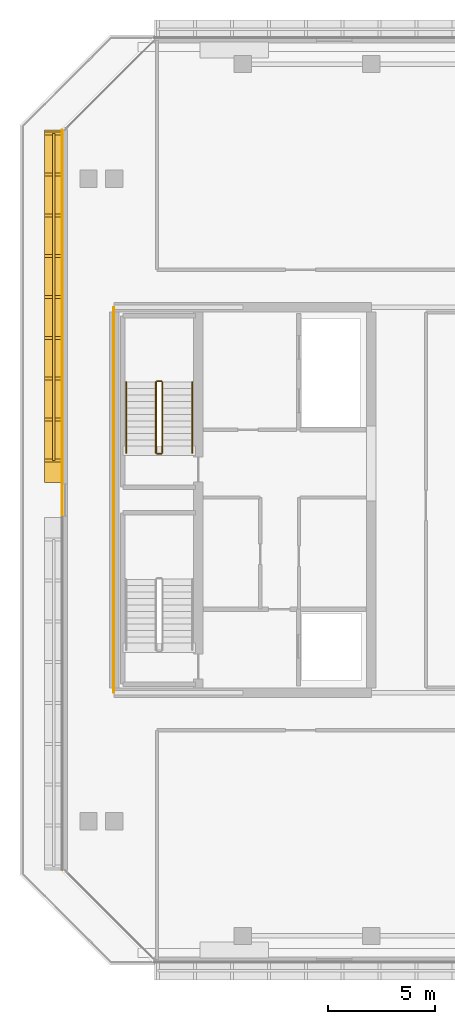
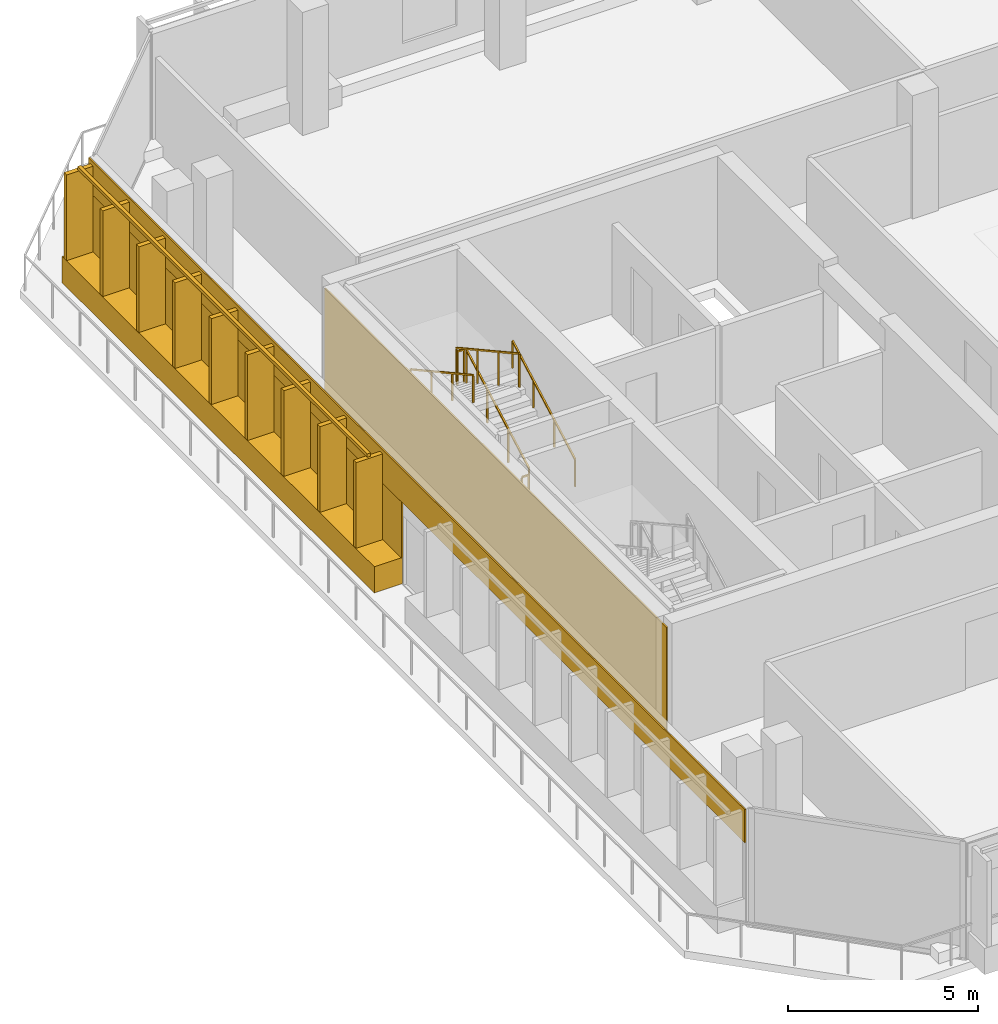
# One storey, part 24 of 26: 7 railings, 4 coverings.
"""IFC4 building model written with IfcOpenShell, lengths in metres."""

import ifcopenshell
import ifcopenshell.guid

model = None  # the IFC model being written
_history = None  # IfcOwnerHistory: only IFC2X3 demands one
_inside = {}  # id of a spatial element -> (the spatial element, [elements in it])
_under = {}  # id of a project, library or spatial element -> (it, [spatial elements below it])
_declared = {}  # id of a project -> (the project, [libraries it declares])
_typed = {}  # id of a type object -> (the type object, [elements of that type])
_made_of = {}  # id of a material, layer set ... -> (it, [elements and type objects made of it])


def new_model(schema):
    """Start an empty IFC model of exactly this schema.

    Asked for "IFC4X3", IfcOpenShell would pick the latest addendum, in which some entities
    have other attributes; the version numbers below select the first issue.
    IFC2X3 requires an IfcOwnerHistory on every rooted entity: one is made here for all.
    """
    global model, _history
    if schema == "IFC4X3":
        model = ifcopenshell.file(schema_version=(4, 3, 0, 0))
    else:
        model = ifcopenshell.file(schema=schema)
    _inside.clear()
    _under.clear()
    _declared.clear()
    _typed.clear()
    _made_of.clear()
    _history = None
    if model.schema == "IFC2X3":
        org = make("IfcOrganization", Name="unknown")
        user = make(
            "IfcPersonAndOrganization",
            ThePerson=make("IfcPerson", FamilyName="unknown"),
            TheOrganization=org,
        )
        app = make(
            "IfcApplication",
            ApplicationDeveloper=org,
            Version="unknown",
            ApplicationFullName="unknown",
            ApplicationIdentifier="unknown",
        )
        _history = make(
            "IfcOwnerHistory",
            OwningUser=user,
            OwningApplication=app,
            ChangeAction="ADDED",
            CreationDate=0,
        )
    return model


def make(cls, **values):
    """One entity of the class cls with the attributes given. An attribute that is None is left unset."""
    return model.create_entity(
        cls, **{name: value for name, value in values.items() if value is not None}
    )


def rooted(cls, **values):
    """An entity with a GlobalId (a new one), such as an element, a storey or a relation."""
    return make(cls, GlobalId=ifcopenshell.guid.new(), OwnerHistory=_history, **values)


def si_unit(unit_type, name, prefix=None):
    """IfcSIUnit, for example si_unit("LENGTHUNIT", "METRE", prefix="MILLI")."""
    return make("IfcSIUnit", UnitType=unit_type, Prefix=prefix, Name=name)


def assignment(units):
    """IfcUnitAssignment: the units of a project."""
    return None if units is None else make("IfcUnitAssignment", Units=units)


def point(xyz):
    """IfcCartesianPoint."""
    return None if xyz is None else make("IfcCartesianPoint", Coordinates=xyz)


def direction(xyz):
    """IfcDirection."""
    return None if xyz is None else make("IfcDirection", DirectionRatios=xyz)


def frame(location, z_axis=None, x_axis=None):
    """IfcAxis2Placement3D, a coordinate frame: its origin and axes. An axis left out is left unset."""
    return make(
        "IfcAxis2Placement3D",
        Location=point(location),
        Axis=direction(z_axis),
        RefDirection=direction(x_axis),
    )


def frame_2d(location, x_axis=None):
    """IfcAxis2Placement2D, a coordinate frame in the plane: its origin and x axis."""
    return make(
        "IfcAxis2Placement2D", Location=point(location), RefDirection=direction(x_axis)
    )


def origin():
    """The frame at (0, 0, 0) with its axes left unset."""
    return frame((0.0, 0.0, 0.0))


def origin_2d():
    """The frame at (0, 0) in the plane with its x axis left unset."""
    return frame_2d((0.0, 0.0))


def place(relative_to, where):
    """IfcLocalPlacement: puts the frame where relative to a parent placement (None: the world)."""
    return make(
        "IfcLocalPlacement", PlacementRelTo=relative_to, RelativePlacement=where
    )


def context(
    kind, dimensions, precision=None, world=None, true_north=None, identifier=None
):
    """IfcGeometricRepresentationContext, for example the 3D "Model" context."""
    return make(
        "IfcGeometricRepresentationContext",
        ContextIdentifier=identifier,
        ContextType=kind,
        CoordinateSpaceDimension=dimensions,
        Precision=precision,
        WorldCoordinateSystem=world,
        TrueNorth=true_north,
    )


def subcontext(parent, identifier, kind, view, scale=None):
    """IfcGeometricRepresentationSubContext, for example "Body" below "Model"."""
    return make(
        "IfcGeometricRepresentationSubContext",
        ContextIdentifier=identifier,
        ContextType=kind,
        ParentContext=parent,
        TargetScale=scale,
        TargetView=view,
    )


def project(units=None, contexts=None):
    """IfcProject with its units and contexts."""
    return rooted(
        "IfcProject",
        Name="project",
        RepresentationContexts=contexts,
        UnitsInContext=assignment(units),
    )


def spatial(cls, under=None, at=None, **own):
    """A site, building, storey or space (cls), placed at a placement, below another one or the project."""
    s = rooted(cls, ObjectPlacement=at, **own)
    if under is not None:
        _under.setdefault(under.id(), (under, []))[1].append(s)
    return s


def profile(cls, at=None, kind="AREA", **sizes):
    """A parametric profile (cls). Its sizes go by their IFC names, for example OverallWidth=200.0."""
    return make(cls, ProfileType=kind, Position=at, **sizes)


def rectangle(**sizes):
    """IfcRectangleProfileDef."""
    return profile("IfcRectangleProfileDef", **sizes)


def extrude(swept, where, along, depth):
    """IfcExtrudedAreaSolid: the profile swept, set in the frame where, extruded along a direction by depth."""
    return make(
        "IfcExtrudedAreaSolid",
        SweptArea=swept,
        Position=where,
        ExtrudedDirection=direction(along),
        Depth=depth,
    )


def shape(context_of_items, identifier, shape_type, items):
    """IfcShapeRepresentation: the items that make up one representation, for example the "Body"."""
    return make(
        "IfcShapeRepresentation",
        ContextOfItems=context_of_items,
        RepresentationIdentifier=identifier,
        RepresentationType=shape_type,
        Items=items,
    )


def material(Name=None, Category=None):
    """IfcMaterial."""
    return make("IfcMaterial", Name=Name, Category=Category)


def layer(
    of_material, thickness, ventilated=None, Name=None, Category=None, Priority=None
):
    """IfcMaterialLayer: one layer of a wall or slab, of a material (None: an air gap)."""
    return make(
        "IfcMaterialLayer",
        Material=of_material,
        LayerThickness=thickness,
        IsVentilated=ventilated,
        Name=Name,
        Category=Category,
        Priority=Priority,
    )


def layer_set(layers, Name=None):
    """IfcMaterialLayerSet."""
    return make("IfcMaterialLayerSet", MaterialLayers=layers, LayerSetName=Name)


def made_of(thing, what):
    """Note that an element or type object is made of a material, layer set ...; save() writes the relation."""
    if what is not None:
        _made_of.setdefault(what.id(), (what, []))[1].append(thing)
    return thing


def type_object(cls, material=None, **own):
    """A type object (cls), such as IfcWallType, which elements share."""
    return made_of(rooted(cls, **own), material)


def element(
    cls,
    number,
    at=None,
    inside=None,
    cuts=None,
    type_object=None,
    material=None,
    context=None,
    identifier="Body",
    shape_type=None,
    held_by="IfcProductDefinitionShape",
    body=None,
    shapes=None,
    **own,
):
    """One element of the class cls, such as IfcWall. Its Tag is "e" and its number.

    at: its placement. inside: the storey or other place that contains it. cuts: it is an
    opening in that element (IfcRelVoidsElement). A single representation is given by context,
    identifier, shape_type and body (its items); several are given by shapes. held_by: the class
    of the entity that holds the representations. save() writes the other relations.
    """
    e = rooted(cls, Tag="e%d" % number, ObjectPlacement=at, **own)
    if body is not None:
        shapes = [shape(context, identifier, shape_type, body)]
    if shapes is not None:
        e.Representation = make(held_by, Representations=shapes)
    if inside is not None:
        _inside.setdefault(inside.id(), (inside, []))[1].append(e)
    if cuts is not None:
        rooted(
            "IfcRelVoidsElement", RelatingBuildingElement=cuts, RelatedOpeningElement=e
        )
    if type_object is not None:
        _typed.setdefault(type_object.id(), (type_object, []))[1].append(e)
    return made_of(e, material)


def aggregate(whole, parts):
    """IfcRelAggregates: a whole, such as a stair, and the parts it consists of."""
    return rooted("IfcRelAggregates", RelatingObject=whole, RelatedObjects=parts)


def save(model, path):
    """Write the relations noted so far, then the file.

    IfcRelAggregates (storeys below a building ...), IfcRelContainedInSpatialStructure (elements
    in a storey), IfcRelDefinesByType, IfcRelAssociatesMaterial and IfcRelDeclares: one each for
    every whole, place, type object, material and project.
    """
    for whole, parts in _under.values():
        aggregate(whole, parts)
    for where, things in _inside.values():
        rooted(
            "IfcRelContainedInSpatialStructure",
            RelatedElements=things,
            RelatingStructure=where,
        )
    for kind, things in _typed.values():
        rooted("IfcRelDefinesByType", RelatedObjects=things, RelatingType=kind)
    for what, things in _made_of.values():
        rooted("IfcRelAssociatesMaterial", RelatedObjects=things, RelatingMaterial=what)
    for by, libraries in _declared.values():
        rooted("IfcRelDeclares", RelatingContext=by, RelatedDefinitions=libraries)
    model.write(path)


model = new_model("IFC4")

# Units and contexts
model_context = context("Model", 3, precision=1e-05, world=origin(), true_north=direction((0.0, 1.0)))
body_context = subcontext(model_context, "Body", "Model", "MODEL_VIEW")
ifc_project = project(units=[si_unit("LENGTHUNIT", "METRE"), si_unit("AREAUNIT", "SQUARE_METRE"), si_unit("VOLUMEUNIT", "CUBIC_METRE"), si_unit("PLANEANGLEUNIT", "RADIAN"), si_unit("MASSUNIT", "GRAM", prefix="KILO")], contexts=[model_context])

# Site, building, storey
site_placement = place(None, origin())
site = spatial("IfcSite", under=ifc_project, at=site_placement, CompositionType="ELEMENT")
building_placement = place(site_placement, origin())
building = spatial("IfcBuilding", under=site, at=building_placement, Name="Tanjung Sevakor Pilgrim Tower", CompositionType="ELEMENT")
storey_placement = place(building_placement, frame((0.0, 0.0, 177.8701171875)))
storey = spatial("IfcBuildingStorey", under=building, at=storey_placement, Name="L49", CompositionType="ELEMENT", Elevation=177.8701171875)

# Coverings
ifc_material_1 = material(Name="Reconstructed Limestone Cladding", Category="masonry")
ifc_layer = layer(ifc_material_1, 0.044921875)
ifc_layer_set = layer_set([ifc_layer], Name="COV-CLAD-LIMESTONE")
covering_type = type_object("IfcCoveringType", Name="COV-CLAD-LIMESTONE", PredefinedType="CLADDING", material=ifc_layer_set)
covering_1_placement = place(storey_placement, frame((21.169921875, 42.63720703125, 0.009765625), z_axis=(0.0, 0.0, 1.0), x_axis=(0.0, -1.0, 0.0)))
element("IfcCovering", 1, at=covering_1_placement, inside=storey, type_object=covering_type, Name="L49 Warm Limestone Sill Spandrel EW-L49-MAIN-15-1", PredefinedType="CLADDING", context=body_context, shape_type="SweptSolid", body=[
    extrude(rectangle(XDim=16.454345703125, YDim=0.860107421875, at=origin_2d()), origin(), (0.0, 0.0, 1.0), 0.840087890625),
])
covering_2_placement = place(storey_placement, frame((21.577392578125, 33.60009765625, 2.65966796875), z_axis=(0.0, 0.0, 1.0), x_axis=(0.0, -1.0, 0.0)))
element("IfcCovering", 2, at=covering_2_placement, inside=storey, type_object=covering_type, Name="L49 Warm Limestone Cornice Spandrel EW-L49-MAIN-15", PredefinedType="CLADDING", context=body_context, shape_type="SweptSolid", body=[
    extrude(rectangle(XDim=34.56884765625, YDim=0.044921875, at=origin_2d()), origin(), (0.0, 0.0, 1.0), 1.070068359375),
])
covering_3_placement = place(storey_placement, frame((21.577392578125, 42.632080078125, 0.849853515625), z_axis=(0.0, 0.0, 1.0), x_axis=(0.0, -1.0, 0.0)))
element("IfcCovering", 3, at=covering_3_placement, inside=storey, type_object=covering_type, Name="L49 Warm Limestone Pier Panel EW-L49-MAIN-15-1", PredefinedType="CLADDING", context=body_context, shape_type="SweptSolid", body=[
    extrude(rectangle(XDim=16.46435546875, YDim=0.044921875, at=origin_2d()), origin(), (0.0, 0.0, 1.0), 1.81005859375),
])
covering_4_placement = place(storey_placement, frame((23.9775390625, 33.60009765625, 0.02001953125), z_axis=(0.0, 0.0, 1.0), x_axis=(1.0, 0.0, 0.0)))
element("IfcCovering", 4, at=covering_4_placement, inside=storey, type_object=covering_type, Name="L49 Expressed Core Warm Limestone Cladding W", PredefinedType="CLADDING", context=body_context, shape_type="SweptSolid", body=[
    extrude(rectangle(XDim=0.044921875, YDim=18.0, at=origin_2d()), origin(), (0.0, 0.0, 1.0), 3.699951171875),
])

# Railings
ifc_material_2 = material(Name="Anodised Bronze Aluminium 6063-T6", Category="aluminium")
railing_type_1 = type_object("IfcRailingType", Name="RL-FIN-SCREEN", PredefinedType="BALUSTRADE", material=ifc_material_2)
railing_1_placement = place(storey_placement, frame((21.175048828125, 50.704345703125, 0.83984375)))
element("IfcRailing", 5, at=railing_1_placement, inside=storey, type_object=railing_type_1, Name="L49 Vertical Bronze-Gold Solar Fin Screen FNEND-EW-L49-MAIN-15-1", PredefinedType="BALUSTRADE", context=body_context, shape_type="SweptSolid", body=[
    extrude(rectangle(XDim=0.105, YDim=0.105), frame((0.0, 0.0, 2.817626953125), z_axis=(0.0, -1.0, 0.0), x_axis=(1.0, 0.0, 0.0)), (0.0, 0.0, 1.0), 15.25439453125),
    extrude(rectangle(XDim=0.85, YDim=0.14), origin(), (0.0, 0.0, 1.0), 2.76513671875),
    extrude(rectangle(XDim=0.85, YDim=0.14), frame((0.0, -1.90673828125, 0.0)), (0.0, 0.0, 1.0), 2.76513671875),
    extrude(rectangle(XDim=0.85, YDim=0.14), frame((0.0, -3.8134765625, 0.0)), (0.0, 0.0, 1.0), 2.76513671875),
    extrude(rectangle(XDim=0.85, YDim=0.14), frame((0.0, -5.720458984375, 0.0)), (0.0, 0.0, 1.0), 2.76513671875),
    extrude(rectangle(XDim=0.85, YDim=0.14), frame((0.0, -7.627197265625, 0.0)), (0.0, 0.0, 1.0), 2.76513671875),
    extrude(rectangle(XDim=0.85, YDim=0.14), frame((0.0, -9.533935546875, 0.0)), (0.0, 0.0, 1.0), 2.76513671875),
    extrude(rectangle(XDim=0.85, YDim=0.14), frame((0.0, -11.44091796875, 0.0)), (0.0, 0.0, 1.0), 2.76513671875),
    extrude(rectangle(XDim=0.85, YDim=0.14), frame((0.0, -13.34765625, 0.0)), (0.0, 0.0, 1.0), 2.76513671875),
    extrude(rectangle(XDim=0.85, YDim=0.14), frame((0.0, -15.25439453125, 0.0)), (0.0, 0.0, 1.0), 2.76513671875),
])
ifc_material_3 = material(Name="Steel S355J2", Category="steel")
railing_type_2 = type_object("IfcRailingType", Name="RL-STAIR-GUARD", PredefinedType="GUARDRAIL", material=ifc_material_3)
railing_2_placement = place(storey_placement, frame((26.25, 35.800048828125, 0.164794921875)))
element("IfcRailing", 6, at=railing_2_placement, inside=storey, type_object=railing_type_2, Name="L49 TS-W2 stair guard 1", PredefinedType="GUARDRAIL", context=body_context, shape_type="SweptSolid", body=[
    extrude(rectangle(XDim=0.0479, YDim=0.0479), frame((0.0, 0.0, 1.076171875), z_axis=(0.0, 0.876198116262, 0.481951098203), x_axis=(-1.0, 0.0, 0.0)), (0.0, 0.0, 1.0), 3.766357421875),
    extrude(rectangle(XDim=0.042, YDim=0.042), origin(), (0.0, 0.0, 1.0), 1.052001953125),
    extrude(rectangle(XDim=0.042, YDim=0.042), frame((0.0, 1.10009765625, 0.60498046875)), (0.0, 0.0, 1.0), 1.052001953125),
    extrude(rectangle(XDim=0.042, YDim=0.042), frame((0.0, 2.199951171875, 1.210205078125)), (0.0, 0.0, 1.0), 1.052001953125),
    extrude(rectangle(XDim=0.042, YDim=0.042), frame((0.0, 3.300048828125, 1.815185546875)), (0.0, 0.0, 1.0), 1.052001953125),
])
railing_3_placement = place(storey_placement, frame((26.199951171875, 39.14990234375, 1.97998046875)))
element("IfcRailing", 7, at=railing_3_placement, inside=storey, type_object=railing_type_2, Name="L49 TS-W2 stair guard 2", PredefinedType="GUARDRAIL", context=body_context, shape_type="SweptSolid", body=[
    extrude(rectangle(XDim=0.0479, YDim=0.0479), frame((0.0, 0.0, 1.076171875), z_axis=(-1.0, 0.0, 0.0), x_axis=(0.0, -1.0, 0.0)), (0.0, 0.0, 1.0), 0.199951171875),
    extrude(rectangle(XDim=0.042, YDim=0.042), origin(), (0.0, 0.0, 1.0), 1.052001953125),
    extrude(rectangle(XDim=0.042, YDim=0.042), frame((-0.199951171875, 0.0, 0.0)), (0.0, 0.0, 1.0), 1.052001953125),
])
railing_4_placement = place(storey_placement, frame((25.949951171875, 39.10009765625, 2.144775390625)))
element("IfcRailing", 8, at=railing_4_placement, inside=storey, type_object=railing_type_2, Name="L49 TS-W2 stair guard 3", PredefinedType="GUARDRAIL", context=body_context, shape_type="SweptSolid", body=[
    extrude(rectangle(XDim=0.0479, YDim=0.0479), frame((0.0, 0.0, 1.076171875), z_axis=(0.0, -0.876198116262, 0.481951098203), x_axis=(1.0, 0.0, 0.0)), (0.0, 0.0, 1.0), 3.766357421875),
    extrude(rectangle(XDim=0.042, YDim=0.042), origin(), (0.0, 0.0, 1.0), 1.052001953125),
    extrude(rectangle(XDim=0.042, YDim=0.042), frame((0.0, -1.10009765625, 0.60498046875)), (0.0, 0.0, 1.0), 1.052001953125),
    extrude(rectangle(XDim=0.042, YDim=0.042), frame((0.0, -2.199951171875, 1.210205078125)), (0.0, 0.0, 1.0), 1.052001953125),
    extrude(rectangle(XDim=0.042, YDim=0.042), frame((0.0, -3.300048828125, 1.815185546875)), (0.0, 0.0, 1.0), 1.052001953125),
])
railing_5_placement = place(storey_placement, frame((26.199951171875, 35.75, 0.0)))
element("IfcRailing", 9, at=railing_5_placement, inside=storey, type_object=railing_type_2, Name="L49 TS-W2 stair guard 4", PredefinedType="GUARDRAIL", context=body_context, shape_type="SweptSolid", body=[
    extrude(rectangle(XDim=0.0479, YDim=0.0479), frame((0.0, 0.0, 1.076171875), z_axis=(-1.0, 0.0, 0.0), x_axis=(0.0, -1.0, 0.0)), (0.0, 0.0, 1.0), 0.199951171875),
    extrude(rectangle(XDim=0.042, YDim=0.042), origin(), (0.0, 0.0, 1.0), 1.052001953125),
    extrude(rectangle(XDim=0.042, YDim=0.042), frame((-0.199951171875, 0.0, 0.0)), (0.0, 0.0, 1.0), 1.052001953125),
])
ifc_material_4 = material(Name="Steel S355J2", Category="steel")
railing_type_3 = type_object("IfcRailingType", Name="RL-STAIR-HAND", PredefinedType="HANDRAIL", material=ifc_material_4)
railing_6_placement = place(storey_placement, frame((27.64990234375, 35.800048828125, 0.164794921875)))
element("IfcRailing", 10, at=railing_6_placement, inside=storey, type_object=railing_type_3, Name="L49 TS-W2 stair handrail 1", PredefinedType="HANDRAIL", context=body_context, shape_type="SweptSolid", body=[
    extrude(rectangle(XDim=0.0479, YDim=0.0479), frame((0.0, 0.0, 0.8759765625), z_axis=(0.0, 0.876198116262, 0.481951098203), x_axis=(-1.0, 0.0, 0.0)), (0.0, 0.0, 1.0), 3.766357421875),
    extrude(rectangle(XDim=0.042, YDim=0.042), origin(), (0.0, 0.0, 1.0), 0.851806640625),
    extrude(rectangle(XDim=0.042, YDim=0.042), frame((0.0, 1.10009765625, 0.60498046875)), (0.0, 0.0, 1.0), 0.851806640625),
    extrude(rectangle(XDim=0.042, YDim=0.042), frame((0.0, 2.199951171875, 1.210205078125)), (0.0, 0.0, 1.0), 0.851806640625),
    extrude(rectangle(XDim=0.042, YDim=0.042), frame((0.0, 3.300048828125, 1.815185546875)), (0.0, 0.0, 1.0), 0.851806640625),
])
railing_7_placement = place(storey_placement, frame((24.550048828125, 39.10009765625, 2.144775390625)))
element("IfcRailing", 11, at=railing_7_placement, inside=storey, type_object=railing_type_3, Name="L49 TS-W2 stair handrail 2", PredefinedType="HANDRAIL", context=body_context, shape_type="SweptSolid", body=[
    extrude(rectangle(XDim=0.0479, YDim=0.0479), frame((0.0, 0.0, 0.8759765625), z_axis=(0.0, -0.876198116262, 0.481951098203), x_axis=(1.0, 0.0, 0.0)), (0.0, 0.0, 1.0), 3.766357421875),
    extrude(rectangle(XDim=0.042, YDim=0.042), origin(), (0.0, 0.0, 1.0), 0.851806640625),
    extrude(rectangle(XDim=0.042, YDim=0.042), frame((0.0, -1.10009765625, 0.60498046875)), (0.0, 0.0, 1.0), 0.851806640625),
    extrude(rectangle(XDim=0.042, YDim=0.042), frame((0.0, -2.199951171875, 1.210205078125)), (0.0, 0.0, 1.0), 0.851806640625),
    extrude(rectangle(XDim=0.042, YDim=0.042), frame((0.0, -3.300048828125, 1.815185546875)), (0.0, 0.0, 1.0), 0.851806640625),
])

save(model, "model.ifc")
